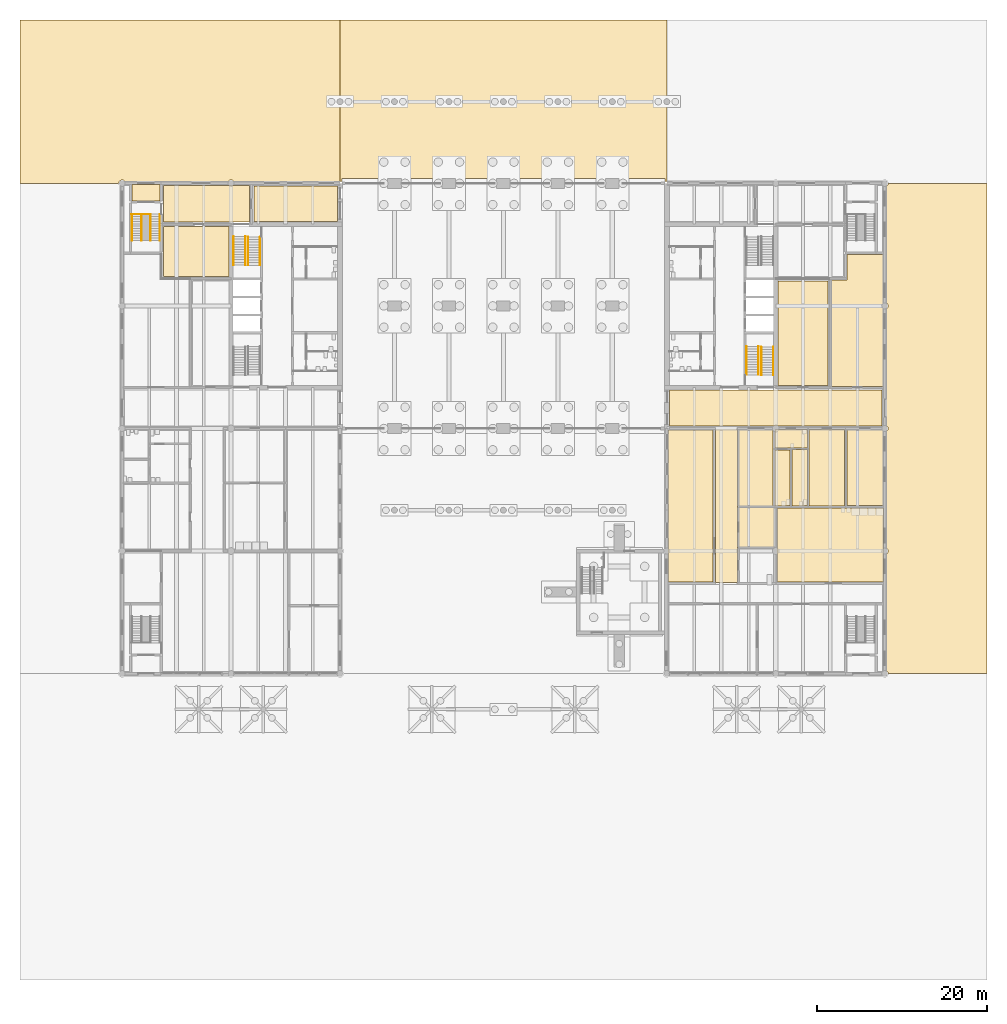
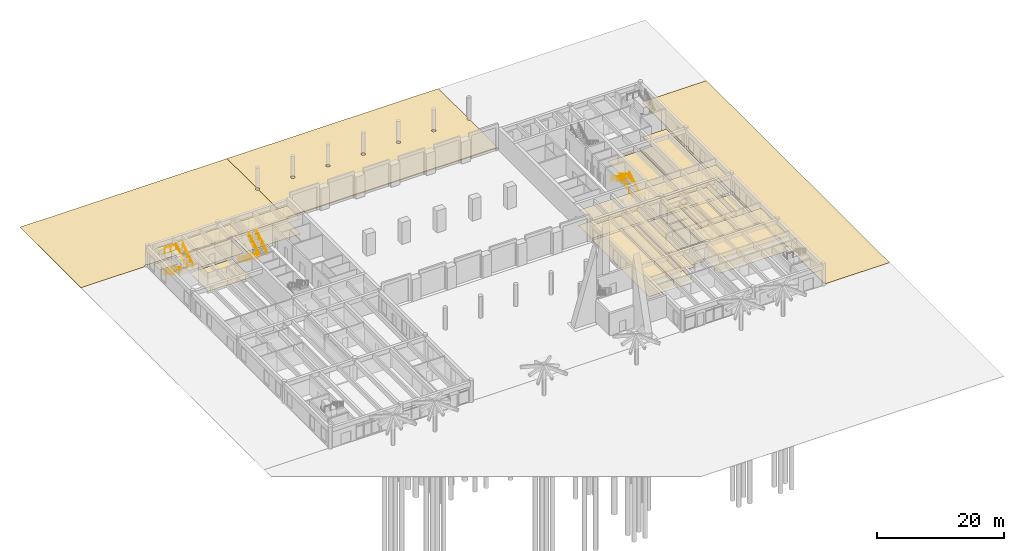
# One storey, part 26 of 28: 31 coverings, 13 railings.
"""IFC4 building model written with IfcOpenShell, lengths in metres."""

from ifc_helpers import new_model, si_unit, direction, frame, origin, origin_2d, place, context, subcontext, project, spatial, polyline, circle, outline, extrude, material, layer, layer_set, type_object, element, save


model = new_model("IFC4")

# Units and contexts
model_context = context("Model", 3, precision=1e-05, world=origin(), true_north=direction((0.0, 1.0)))
body_context = subcontext(model_context, "Body", "Model", "MODEL_VIEW")
ifc_project = project(units=[si_unit("LENGTHUNIT", "METRE"), si_unit("AREAUNIT", "SQUARE_METRE"), si_unit("VOLUMEUNIT", "CUBIC_METRE"), si_unit("PLANEANGLEUNIT", "RADIAN"), si_unit("MASSUNIT", "GRAM", prefix="KILO")], contexts=[model_context])

# Site, building, storey
site_placement = place(None, origin())
site = spatial("IfcSite", under=ifc_project, at=site_placement, CompositionType="ELEMENT")
building_placement = place(site_placement, origin())
building = spatial("IfcBuilding", under=site, at=building_placement, Name="Fogon Plaza Fire Station and Headquarters Tower", CompositionType="ELEMENT")
storey_placement = place(building_placement, origin())
storey = spatial("IfcBuildingStorey", under=building, at=storey_placement, Name="L00", CompositionType="ELEMENT", Elevation=0.0)

# Coverings
ifc_material_1 = material(Name="Acoustic Mineral Wool Ceiling Tile")
ifc_layer_1 = layer(ifc_material_1, 0.030029296875)
ifc_layer_set_1 = layer_set([ifc_layer_1], Name="Acoustic Mineral Wool Ceiling Tile")
covering_type_1 = type_object("IfcCoveringType", Name="Acoustic Ceiling 600x600", PredefinedType="CEILING", material=ifc_layer_set_1)
covering_1_placement = place(storey_placement, frame((0.0, 0.0, 2.8798828125)))
element("IfcCovering", 1, at=covering_1_placement, inside=storey, type_object=covering_type_1, Name="ceiling-L00-W-watch", PredefinedType="CEILING", context=body_context, shape_type="SweptSolid", body=[
    extrude(outline(polyline([(15.5, 53.10009765625), (15.5, 57.300048828125), (25.300048828125, 57.300048828125), (25.300048828125, 53.10009765625), (15.5, 53.10009765625)])), origin(), (0.0, 0.0, 1.0), 0.02001953125),
])
ifc_material_2 = material(Name="Carpet Tile Floor Finish")
ifc_layer_2 = layer(ifc_material_2, 0.011962890625)
ifc_layer_set_2 = layer_set([ifc_layer_2], Name="Carpet Tile Floor Finish")
covering_type_2 = type_object("IfcCoveringType", Name="Floor Finish Carpet 12", PredefinedType="FLOORING", material=ifc_layer_set_2)
covering_2_placement = place(storey_placement, origin())
element("IfcCovering", 2, at=covering_2_placement, inside=storey, type_object=covering_type_2, Name="floor-L00-W-watch", PredefinedType="FLOORING", context=body_context, shape_type="SweptSolid", body=[
    extrude(outline(polyline([(15.5, 53.10009765625), (15.5, 57.300048828125), (25.300048828125, 57.300048828125), (25.300048828125, 53.10009765625), (15.5, 53.10009765625)])), origin(), (0.0, 0.0, 1.0), 0.02490234375),
])
ifc_material_3 = material(Name="Epoxy Resin Floor Finish")
ifc_layer_3 = layer(ifc_material_3, 0.02490234375)
ifc_layer_set_3 = layer_set([ifc_layer_3], Name="Epoxy Resin Floor Finish")
covering_type_3 = type_object("IfcCoveringType", Name="Floor Finish Epoxy 25", PredefinedType="FLOORING", material=ifc_layer_set_3)
covering_3_placement = place(storey_placement, origin())
element("IfcCovering", 3, at=covering_3_placement, inside=storey, type_object=covering_type_3, Name="floor-L00-W-tool", PredefinedType="FLOORING", context=body_context, shape_type="SweptSolid", body=[
    extrude(outline(polyline([(4.85009765625, 46.64990234375), (4.85009765625, 52.550048828125), (12.550048828125, 52.550048828125), (12.550048828125, 46.64990234375), (4.85009765625, 46.64990234375)])), origin(), (0.0, 0.0, 1.0), 0.02490234375),
])
covering_4_placement = place(storey_placement, origin())
element("IfcCovering", 4, at=covering_4_placement, inside=storey, type_object=covering_type_3, Name="floor-L00-E-eq", PredefinedType="FLOORING", context=body_context, shape_type="SweptSolid", body=[
    extrude(outline(polyline([(72.5, 14.89990234375), (72.5, 19.5), (76.699951171875, 19.5), (76.699951171875, 14.89990234375), (72.5, 14.89990234375)])), origin(), (0.0, 0.0, 1.0), 0.02490234375),
])
covering_5_placement = place(storey_placement, origin())
element("IfcCovering", 5, at=covering_5_placement, inside=storey, type_object=covering_type_3, Name="floor-L00-E-uni", PredefinedType="FLOORING", context=body_context, shape_type="SweptSolid", body=[
    extrude(outline(polyline([(85.14990234375, 19.75), (85.14990234375, 28.64990234375), (89.449951171875, 28.64990234375), (89.449951171875, 19.75), (85.14990234375, 19.75)])), origin(), (0.0, 0.0, 1.0), 0.02490234375),
])
covering_6_placement = place(storey_placement, origin())
element("IfcCovering", 6, at=covering_6_placement, inside=storey, type_object=covering_type_3, Name="floor-L00-E-wsh", PredefinedType="FLOORING", context=body_context, shape_type="SweptSolid", body=[
    extrude(outline(polyline([(72.5, 19.699951171875), (72.5, 28.699951171875), (76.5, 28.699951171875), (76.5, 19.699951171875), (72.5, 19.699951171875)])), origin(), (0.0, 0.0, 1.0), 0.02490234375),
])
covering_7_placement = place(storey_placement, origin())
element("IfcCovering", 7, at=covering_7_placement, inside=storey, type_object=covering_type_3, Name="floor-L00-E-haz", PredefinedType="FLOORING", context=body_context, shape_type="SweptSolid", body=[
    extrude(outline(polyline([(83.35009765625, 33.75), (83.35009765625, 46.25), (85.14990234375, 46.25), (85.14990234375, 49.25), (89.449951171875, 49.25), (89.449951171875, 33.75), (83.35009765625, 33.75)])), origin(), (0.0, 0.0, 1.0), 0.02490234375),
])
covering_8_placement = place(storey_placement, origin())
element("IfcCovering", 8, at=covering_8_placement, inside=storey, type_object=covering_type_3, Name="floor-L00-E-eq2", PredefinedType="FLOORING", context=body_context, shape_type="SweptSolid", body=[
    extrude(outline(polyline([(77.050048828125, 33.85009765625), (77.050048828125, 46.14990234375), (82.949951171875, 46.14990234375), (82.949951171875, 33.85009765625), (77.050048828125, 33.85009765625)])), origin(), (0.0, 0.0, 1.0), 0.02490234375),
])
ifc_material_4 = material(Name="Terrazzo Floor Finish")
ifc_layer_4 = layer(ifc_material_4, 0.02490234375)
ifc_layer_set_4 = layer_set([ifc_layer_4], Name="Terrazzo Floor Finish")
covering_type_4 = type_object("IfcCoveringType", Name="Floor Finish Terrazzo 25", PredefinedType="FLOORING", material=ifc_layer_set_4)
covering_9_placement = place(storey_placement, origin())
element("IfcCovering", 9, at=covering_9_placement, inside=storey, type_object=covering_type_4, Name="floor-L00-W-nel", PredefinedType="FLOORING", context=body_context, shape_type="SweptSolid", body=[
    extrude(outline(polyline([(4.85009765625, 53.050048828125), (4.85009765625, 57.35009765625), (14.949951171875, 57.35009765625), (14.949951171875, 53.050048828125), (4.85009765625, 53.050048828125)])), origin(), (0.0, 0.0, 1.0), 0.02490234375),
])
covering_10_placement = place(storey_placement, origin())
element("IfcCovering", 10, at=covering_10_placement, inside=storey, type_object=covering_type_4, Name="floor-L00-E-wcl", PredefinedType="FLOORING", context=body_context, shape_type="SweptSolid", body=[
    extrude(outline(polyline([(76.699951171875, 26.5), (76.699951171875, 28.699951171875), (80.5, 28.699951171875), (80.5, 26.5), (76.699951171875, 26.5)])), origin(), (0.0, 0.0, 1.0), 0.02490234375),
])
ifc_material_5 = material(Name="Ceramic Tile Floor Finish")
ifc_layer_5 = layer(ifc_material_5, 0.02490234375)
ifc_layer_set_5 = layer_set([ifc_layer_5], Name="Ceramic Tile Floor Finish")
covering_type_5 = type_object("IfcCoveringType", Name="Floor Finish Tile 25", PredefinedType="FLOORING", material=ifc_layer_set_5)
covering_11_placement = place(storey_placement, origin())
element("IfcCovering", 11, at=covering_11_placement, inside=storey, type_object=covering_type_5, Name="floor-L00-E-lock", PredefinedType="FLOORING", context=body_context, shape_type="SweptSolid", body=[
    extrude(outline(polyline([(76.949951171875, 10.75), (76.949951171875, 19.449951171875), (89.449951171875, 19.449951171875), (89.449951171875, 10.75), (76.949951171875, 10.75)])), origin(), (0.0, 0.0, 1.0), 0.02490234375),
])
covering_12_placement = place(storey_placement, origin())
element("IfcCovering", 12, at=covering_12_placement, inside=storey, type_object=covering_type_5, Name="floor-L00-E-wc1", PredefinedType="FLOORING", context=body_context, shape_type="SweptSolid", body=[
    extrude(outline(polyline([(78.6875, 19.6875), (78.6875, 26.3125), (80.512451171875, 26.3125), (80.512451171875, 19.6875), (78.6875, 19.6875)])), origin(), (0.0, 0.0, 1.0), 0.02490234375),
])
covering_13_placement = place(storey_placement, origin())
element("IfcCovering", 13, at=covering_13_placement, inside=storey, type_object=covering_type_5, Name="floor-L00-E-wc2", PredefinedType="FLOORING", context=body_context, shape_type="SweptSolid", body=[
    extrude(outline(polyline([(76.699951171875, 19.699951171875), (76.699951171875, 26.300048828125), (78.5, 26.300048828125), (78.5, 19.699951171875), (76.699951171875, 19.699951171875)])), origin(), (0.0, 0.0, 1.0), 0.02490234375),
])
ifc_material_6 = material(Name="Vinyl Floor Finish")
ifc_layer_6 = layer(ifc_material_6, 0.02490234375)
ifc_layer_set_6 = layer_set([ifc_layer_6], Name="Vinyl Floor Finish")
covering_type_6 = type_object("IfcCoveringType", Name="Floor Finish Vinyl 25", PredefinedType="FLOORING", material=ifc_layer_set_6)
covering_14_placement = place(storey_placement, origin())
element("IfcCovering", 14, at=covering_14_placement, inside=storey, type_object=covering_type_6, Name="Floor finish L00 west wing Stair Exit Passage North", PredefinedType="FLOORING", context=body_context, shape_type="SweptSolid", body=[
    extrude(outline(polyline([(1.14990234375, 55.550048828125), (1.14990234375, 57.449951171875), (4.449951171875, 57.449951171875), (4.449951171875, 55.550048828125), (1.14990234375, 55.550048828125)])), origin(), (0.0, 0.0, 1.0), 0.02490234375),
])
covering_15_placement = place(storey_placement, origin())
element("IfcCovering", 15, at=covering_15_placement, inside=storey, type_object=covering_type_6, Name="floor-L00-E-nsc", PredefinedType="FLOORING", context=body_context, shape_type="SweptSolid", body=[
    extrude(outline(polyline([(69.699951171875, 10.699951171875), (69.699951171875, 28.699951171875), (72.300048828125, 28.699951171875), (72.300048828125, 10.699951171875), (69.699951171875, 10.699951171875)])), origin(), (0.0, 0.0, 1.0), 0.02490234375),
])
covering_16_placement = place(storey_placement, origin())
element("IfcCovering", 16, at=covering_16_placement, inside=storey, type_object=covering_type_6, Name="floor-L00-E-hose", PredefinedType="FLOORING", context=body_context, shape_type="SweptSolid", body=[
    extrude(outline(polyline([(64.14990234375, 10.75), (64.14990234375, 28.64990234375), (69.449951171875, 28.64990234375), (69.449951171875, 10.75), (64.14990234375, 10.75)])), origin(), (0.0, 0.0, 1.0), 0.02490234375),
])
covering_17_placement = place(storey_placement, origin())
element("IfcCovering", 17, at=covering_17_placement, inside=storey, type_object=covering_type_6, Name="floor-L00-E-med", PredefinedType="FLOORING", context=body_context, shape_type="SweptSolid", body=[
    extrude(outline(polyline([(80.699951171875, 19.699951171875), (80.699951171875, 28.699951171875), (84.89990234375, 28.699951171875), (84.89990234375, 19.699951171875), (80.699951171875, 19.699951171875)])), origin(), (0.0, 0.0, 1.0), 0.02490234375),
])
covering_18_placement = place(storey_placement, origin())
element("IfcCovering", 18, at=covering_18_placement, inside=storey, type_object=covering_type_6, Name="floor-L00-E-spine", PredefinedType="FLOORING", context=body_context, shape_type="SweptSolid", body=[
    extrude(outline(polyline([(64.300048828125, 29.10009765625), (64.300048828125, 33.300048828125), (89.300048828125, 33.300048828125), (89.300048828125, 29.10009765625), (64.300048828125, 29.10009765625)])), origin(), (0.0, 0.0, 1.0), 0.02490234375),
])
ifc_material_7 = material(Name="Granite paving", Category="masonry")
ifc_layer_7 = layer(ifc_material_7, 0.06005859375)
ifc_layer_set_7 = layer_set([ifc_layer_7], Name="Granite paving")
covering_type_7 = type_object("IfcCoveringType", Name="Granite Plaza Paving 60", PredefinedType="USERDEFINED", material=ifc_layer_set_7)
covering_19_placement = place(storey_placement, frame((0.0, 0.0, -0.06005859375)))
element("IfcCovering", 19, at=covering_19_placement, inside=storey, type_object=covering_type_7, Name="Paving forecourt-W", ObjectType="PAVING", PredefinedType="USERDEFINED", context=body_context, shape_type="SweptSolid", body=[
    extrude(outline(polyline([(-11.9951171875, 76.794921875), (25.60009765625, 76.794921875), (25.60009765625, 67.550048828125), (25.466064453125, 67.5234375), (25.3525390625, 67.447509765625), (25.276611328125, 67.333984375), (25.25, 67.199951171875), (25.276611328125, 67.066162109375), (25.3525390625, 66.952392578125), (25.466064453125, 66.876708984375), (25.60009765625, 66.85009765625), (25.60009765625, 57.824951171875), (25.375, 57.824951171875), (13.12158203125, 57.824951171875), (13.082763671875, 57.8828125), (12.953125, 57.969482421875), (12.800048828125, 58.0), (12.64697265625, 57.969482421875), (12.51708984375, 57.8828125), (12.478515625, 57.824951171875), (0.321533203125, 57.824951171875), (0.28271484375, 57.8828125), (0.153076171875, 57.969482421875), (0.0, 58.0), (-0.153076171875, 57.969482421875), (-0.28271484375, 57.8828125), (-0.36962890625, 57.753173828125), (-0.39990234375, 57.60009765625), (-11.9951171875, 57.60009765625), (-11.9951171875, 76.794921875)])), origin(), (0.0, 0.0, 1.0), 0.06005859375),
])

# Railing
ifc_material_8 = material(Name="Stainless Steel", Category="steel")
railing_type_1 = type_object("IfcRailingType", Name="Guard Steel 1100", PredefinedType="GUARDRAIL", material=ifc_material_8)
railing_placement = place(storey_placement, frame((1.125, 53.97509765625, 4.199951171875)))
element("IfcRailing", 20, at=railing_placement, inside=storey, type_object=railing_type_1, Name="rail-ST5-L00-5", PredefinedType="GUARDRAIL", context=body_context, shape_type="SweptSolid", body=[
    extrude(circle(Radius=0.02392578125, at=origin_2d()), frame((0.0, 0.0, 1.076171875), z_axis=(1.0, 0.0, 0.0), x_axis=(0.0, 1.0, 0.0)), (0.0, 0.0, 1.0), 2.14990234375),
    extrude(circle(Radius=0.02099609375, at=origin_2d()), origin(), (0.0, 0.0, 1.0), 1.052001953125),
    extrude(circle(Radius=0.02099609375, at=origin_2d()), frame((1.074951171875, 0.0, 0.0)), (0.0, 0.0, 1.0), 1.052001953125),
    extrude(circle(Radius=0.02099609375, at=origin_2d()), frame((2.14990234375, 0.0, 0.0)), (0.0, 0.0, 1.0), 1.052001953125),
])

# Coverings
ifc_material_9 = material(Name="Broom-finished concrete", Category="concrete")
ifc_layer_8 = layer(ifc_material_9, 0.199951171875)
ifc_layer_set_8 = layer_set([ifc_layer_8], Name="Broom-finished concrete")
covering_type_8 = type_object("IfcCoveringType", Name="Heavy Duty Concrete Apron 200", PredefinedType="USERDEFINED", material=ifc_layer_set_8)
covering_20_placement = place(storey_placement, frame((0.0, 0.0, -0.199951171875)))
element("IfcCovering", 21, at=covering_20_placement, inside=storey, type_object=covering_type_8, Name="Paving apron", ObjectType="PAVING", PredefinedType="USERDEFINED", context=body_context, shape_type="SweptSolid", body=[
    extrude(outline(polyline([(56.800048828125, 57.75), (56.800048828125, 58.199951171875), (52.0, 58.199951171875), (50.39990234375, 58.199951171875), (50.39990234375, 57.60009765625), (50.39990234375, 57.60009765625), (50.39990234375, 57.75), (50.39990234375, 58.199951171875), (45.60009765625, 58.199951171875), (45.60009765625, 57.75), (45.60009765625, 57.60009765625), (45.60009765625, 57.60009765625), (45.60009765625, 58.199951171875), (44.0, 58.199951171875), (39.199951171875, 58.199951171875), (39.199951171875, 57.75), (39.199951171875, 57.60009765625), (39.199951171875, 57.60009765625), (39.199951171875, 58.199951171875), (37.60009765625, 58.199951171875), (32.800048828125, 58.199951171875), (31.199951171875, 58.199951171875), (25.824951171875, 58.199951171875), (25.824951171875, 57.824951171875), (25.60009765625, 57.824951171875), (25.60009765625, 66.85009765625), (25.73388671875, 66.876708984375), (25.847412109375, 66.952392578125), (25.92333984375, 67.066162109375), (25.949951171875, 67.199951171875), (25.92333984375, 67.333984375), (25.847412109375, 67.447509765625), (25.73388671875, 67.5234375), (25.60009765625, 67.550048828125), (25.60009765625, 76.794921875), (64.0, 76.794921875), (64.0, 67.550048828125), (63.8662109375, 67.5234375), (63.75244140625, 67.447509765625), (63.676513671875, 67.333984375), (63.64990234375, 67.199951171875), (63.676513671875, 67.066162109375), (63.75244140625, 66.952392578125), (63.8662109375, 66.876708984375), (64.0, 66.85009765625), (64.0, 57.824951171875), (63.77490234375, 57.824951171875), (63.77490234375, 58.199951171875), (58.39990234375, 58.199951171875), (56.800048828125, 58.199951171875), (56.800048828125, 57.60009765625), (56.800048828125, 57.60009765625), (56.800048828125, 57.75)]), holes=[polyline([(31.75244140625, 66.952392578125), (31.8662109375, 66.876708984375), (32.0, 66.85009765625), (32.1337890625, 66.876708984375), (32.24755859375, 66.952392578125), (32.323486328125, 67.066162109375), (32.35009765625, 67.199951171875), (32.323486328125, 67.333984375), (32.24755859375, 67.447509765625), (32.1337890625, 67.5234375), (32.0, 67.550048828125), (31.8662109375, 67.5234375), (31.75244140625, 67.447509765625), (31.676513671875, 67.333984375), (31.64990234375, 67.199951171875), (31.676513671875, 67.066162109375), (31.75244140625, 66.952392578125)]), polyline([(44.552490234375, 66.952392578125), (44.666015625, 66.876708984375), (44.800048828125, 66.85009765625), (44.933837890625, 66.876708984375), (45.047607421875, 66.952392578125), (45.123291015625, 67.066162109375), (45.14990234375, 67.199951171875), (45.123291015625, 67.333984375), (45.047607421875, 67.447509765625), (44.933837890625, 67.5234375), (44.800048828125, 67.550048828125), (44.666015625, 67.5234375), (44.552490234375, 67.447509765625), (44.4765625, 67.333984375), (44.449951171875, 67.199951171875), (44.4765625, 67.066162109375), (44.552490234375, 66.952392578125)]), polyline([(38.26611328125, 66.876708984375), (38.39990234375, 66.85009765625), (38.533935546875, 66.876708984375), (38.6474609375, 66.952392578125), (38.723388671875, 67.066162109375), (38.75, 67.199951171875), (38.723388671875, 67.333984375), (38.6474609375, 67.447509765625), (38.533935546875, 67.5234375), (38.39990234375, 67.550048828125), (38.26611328125, 67.5234375), (38.152587890625, 67.447509765625), (38.07666015625, 67.333984375), (38.050048828125, 67.199951171875), (38.07666015625, 67.066162109375), (38.152587890625, 66.952392578125), (38.26611328125, 66.876708984375)]), polyline([(57.466064453125, 66.876708984375), (57.60009765625, 66.85009765625), (57.73388671875, 66.876708984375), (57.847412109375, 66.952392578125), (57.92333984375, 67.066162109375), (57.949951171875, 67.199951171875), (57.92333984375, 67.333984375), (57.847412109375, 67.447509765625), (57.73388671875, 67.5234375), (57.60009765625, 67.550048828125), (57.466064453125, 67.5234375), (57.3525390625, 67.447509765625), (57.276611328125, 67.333984375), (57.25, 67.199951171875), (57.276611328125, 67.066162109375), (57.3525390625, 66.952392578125), (57.466064453125, 66.876708984375)]), polyline([(51.066162109375, 66.876708984375), (51.199951171875, 66.85009765625), (51.333984375, 66.876708984375), (51.447509765625, 66.952392578125), (51.5234375, 67.066162109375), (51.550048828125, 67.199951171875), (51.5234375, 67.333984375), (51.447509765625, 67.447509765625), (51.333984375, 67.5234375), (51.199951171875, 67.550048828125), (51.066162109375, 67.5234375), (50.952392578125, 67.447509765625), (50.876708984375, 67.333984375), (50.85009765625, 67.199951171875), (50.876708984375, 67.066162109375), (50.952392578125, 66.952392578125), (51.066162109375, 66.876708984375)])]), origin(), (0.0, 0.0, 1.0), 0.199951171875),
])
ifc_material_10 = material(Name="Moisture Resistant Gypsum Ceiling")
ifc_layer_9 = layer(ifc_material_10, 0.02001953125)
ifc_layer_set_9 = layer_set([ifc_layer_9], Name="Moisture Resistant Gypsum Ceiling")
covering_type_9 = type_object("IfcCoveringType", Name="Moisture Resistant Ceiling 600x600", PredefinedType="CEILING", material=ifc_layer_set_9)
covering_21_placement = place(storey_placement, frame((0.0, 0.0, 2.8798828125)))
element("IfcCovering", 22, at=covering_21_placement, inside=storey, type_object=covering_type_9, Name="ceiling-L00-E-lock", PredefinedType="CEILING", context=body_context, shape_type="SweptSolid", body=[
    extrude(outline(polyline([(76.949951171875, 10.75), (76.949951171875, 19.449951171875), (89.449951171875, 19.449951171875), (89.449951171875, 10.75), (76.949951171875, 10.75)])), origin(), (0.0, 0.0, 1.0), 0.02001953125),
])
covering_22_placement = place(storey_placement, frame((0.0, 0.0, 2.8798828125)))
element("IfcCovering", 23, at=covering_22_placement, inside=storey, type_object=covering_type_9, Name="ceiling-L00-E-wc1", PredefinedType="CEILING", context=body_context, shape_type="SweptSolid", body=[
    extrude(outline(polyline([(78.6875, 19.6875), (78.6875, 26.3125), (80.512451171875, 26.3125), (80.512451171875, 19.6875), (78.6875, 19.6875)])), origin(), (0.0, 0.0, 1.0), 0.02001953125),
])
covering_23_placement = place(storey_placement, frame((0.0, 0.0, 2.8798828125)))
element("IfcCovering", 24, at=covering_23_placement, inside=storey, type_object=covering_type_9, Name="ceiling-L00-E-wc2", PredefinedType="CEILING", context=body_context, shape_type="SweptSolid", body=[
    extrude(outline(polyline([(76.699951171875, 19.699951171875), (76.699951171875, 26.300048828125), (78.5, 26.300048828125), (78.5, 19.699951171875), (76.699951171875, 19.699951171875)])), origin(), (0.0, 0.0, 1.0), 0.02001953125),
])

# Railings
ifc_material_11 = material(Name="Steel", Category="steel")
railing_type_2 = type_object("IfcRailingType", Name="Stair Handrail 900", PredefinedType="HANDRAIL", material=ifc_material_11)
for number, where, name in (
    (25, (13.10009765625, 51.340087890625, 0.175048828125), "Handrail ST2"),
    (26, (14.5, 51.340087890625, 0.175048828125), "Handrail ST2"),
):
    element("IfcRailing", number, at=place(storey_placement, frame(where)), inside=storey, type_object=railing_type_2, Name=name, PredefinedType="HANDRAIL", context=body_context, shape_type="SweptSolid", body=[
        extrude(circle(Radius=0.02392578125, at=origin_2d()), frame((0.0, 0.0, 0.8759765625), z_axis=(0.0, -0.864777349284, 0.502155490029), x_axis=(1.0, 0.0, 0.0)), (0.0, 0.0, 1.0), 3.83349609375),
        extrude(circle(Radius=0.02099609375, at=origin_2d()), origin(), (0.0, 0.0, 1.0), 0.851806640625),
        extrude(circle(Radius=0.02099609375, at=origin_2d()), frame((0.0, -0.828857421875, 0.481201171875)), (0.0, 0.0, 1.0), 0.851806640625),
        extrude(circle(Radius=0.02099609375, at=origin_2d()), frame((0.0, -1.65771484375, 0.96240234375)), (0.0, 0.0, 1.0), 0.851806640625),
        extrude(circle(Radius=0.02099609375, at=origin_2d()), frame((0.0, -2.486328125, 1.44384765625)), (0.0, 0.0, 1.0), 0.851806640625),
        extrude(circle(Radius=0.02099609375, at=origin_2d()), frame((0.0, -3.315185546875, 1.925048828125)), (0.0, 0.0, 1.0), 0.851806640625),
    ])
for number, where, name in (
    (27, (16.22509765625, 47.97509765625, 2.27490234375), "Handrail ST2"),
    (28, (14.824951171875, 47.97509765625, 2.27490234375), "Handrail ST2"),
    (29, (76.5, 35.06005859375, 0.175048828125), "Handrail ST3"),
    (30, (75.10009765625, 35.06005859375, 0.175048828125), "Handrail ST3"),
):
    element("IfcRailing", number, at=place(storey_placement, frame(where)), inside=storey, type_object=railing_type_2, Name=name, PredefinedType="HANDRAIL", context=body_context, shape_type="SweptSolid", body=[
        extrude(circle(Radius=0.02392578125, at=origin_2d()), frame((0.0, 0.0, 0.8759765625), z_axis=(0.0, 0.864761289162, 0.502183146637), x_axis=(-1.0, 0.0, 0.0)), (0.0, 0.0, 1.0), 3.833251953125),
        extrude(circle(Radius=0.02099609375, at=origin_2d()), origin(), (0.0, 0.0, 1.0), 0.851806640625),
        extrude(circle(Radius=0.02099609375, at=origin_2d()), frame((0.0, 0.82861328125, 0.481201171875)), (0.0, 0.0, 1.0), 0.851806640625),
        extrude(circle(Radius=0.02099609375, at=origin_2d()), frame((0.0, 1.657470703125, 0.96240234375)), (0.0, 0.0, 1.0), 0.851806640625),
        extrude(circle(Radius=0.02099609375, at=origin_2d()), frame((0.0, 2.486328125, 1.44384765625)), (0.0, 0.0, 1.0), 0.851806640625),
        extrude(circle(Radius=0.02099609375, at=origin_2d()), frame((0.0, 3.31494140625, 1.925048828125)), (0.0, 0.0, 1.0), 0.851806640625),
    ])
for number, where, name in (
    (31, (73.375, 38.425048828125, 2.27490234375), "Handrail ST3"),
    (32, (74.77490234375, 38.425048828125, 2.27490234375), "Handrail ST3"),
):
    element("IfcRailing", number, at=place(storey_placement, frame(where)), inside=storey, type_object=railing_type_2, Name=name, PredefinedType="HANDRAIL", context=body_context, shape_type="SweptSolid", body=[
        extrude(circle(Radius=0.02392578125, at=origin_2d()), frame((0.0, 0.0, 0.8759765625), z_axis=(0.0, -0.864761289162, 0.502183146637), x_axis=(1.0, 0.0, 0.0)), (0.0, 0.0, 1.0), 3.833251953125),
        extrude(circle(Radius=0.02099609375, at=origin_2d()), origin(), (0.0, 0.0, 1.0), 0.851806640625),
        extrude(circle(Radius=0.02099609375, at=origin_2d()), frame((0.0, -0.82861328125, 0.481201171875)), (0.0, 0.0, 1.0), 0.851806640625),
        extrude(circle(Radius=0.02099609375, at=origin_2d()), frame((0.0, -1.657470703125, 0.96240234375)), (0.0, 0.0, 1.0), 0.851806640625),
        extrude(circle(Radius=0.02099609375, at=origin_2d()), frame((0.0, -2.486328125, 1.44384765625)), (0.0, 0.0, 1.0), 0.851806640625),
        extrude(circle(Radius=0.02099609375, at=origin_2d()), frame((0.0, -3.31494140625, 1.925048828125)), (0.0, 0.0, 1.0), 0.851806640625),
    ])
ifc_material_12 = material(Name="Stainless Steel", Category="steel")
railing_type_3 = type_object("IfcRailingType", Name="Stair Handrail Steel 900", PredefinedType="HANDRAIL", material=ifc_material_12)
for number, where, name in (
    (33, (1.175048828125, 53.97509765625, 0.175048828125), "rail-ST5-L00-1"),
    (34, (2.27490234375, 53.97509765625, 0.175048828125), "rail-ST5-L00-2"),
):
    element("IfcRailing", number, at=place(storey_placement, frame(where)), inside=storey, type_object=railing_type_3, Name=name, PredefinedType="HANDRAIL", context=body_context, shape_type="SweptSolid", body=[
        extrude(circle(Radius=0.02392578125, at=origin_2d()), frame((0.0, 0.0, 0.8759765625), z_axis=(0.0, -0.847998304005, 0.529998940003), x_axis=(1.0, 0.0, 0.0)), (0.0, 0.0, 1.0), 3.632080078125),
        extrude(circle(Radius=0.02099609375, at=origin_2d()), origin(), (0.0, 0.0, 1.0), 0.851806640625),
        extrude(circle(Radius=0.02099609375, at=origin_2d()), frame((0.0, -0.77001953125, 0.481201171875)), (0.0, 0.0, 1.0), 0.851806640625),
        extrude(circle(Radius=0.02099609375, at=origin_2d()), frame((0.0, -1.5400390625, 0.96240234375)), (0.0, 0.0, 1.0), 0.851806640625),
        extrude(circle(Radius=0.02099609375, at=origin_2d()), frame((0.0, -2.31005859375, 1.44384765625)), (0.0, 0.0, 1.0), 0.851806640625),
        extrude(circle(Radius=0.02099609375, at=origin_2d()), frame((0.0, -3.080078125, 1.925048828125)), (0.0, 0.0, 1.0), 0.851806640625),
    ])
for number, where, name in (
    (35, (3.324951171875, 50.89501953125, 2.27490234375), "rail-ST5-L00-3"),
    (36, (4.425048828125, 50.89501953125, 2.27490234375), "rail-ST5-L00-4"),
):
    element("IfcRailing", number, at=place(storey_placement, frame(where)), inside=storey, type_object=railing_type_3, Name=name, PredefinedType="HANDRAIL", context=body_context, shape_type="SweptSolid", body=[
        extrude(circle(Radius=0.02392578125, at=origin_2d()), frame((0.0, 0.0, 0.8759765625), z_axis=(0.0, 0.847998304005, 0.529998940003), x_axis=(-1.0, 0.0, 0.0)), (0.0, 0.0, 1.0), 3.632080078125),
        extrude(circle(Radius=0.02099609375, at=origin_2d()), origin(), (0.0, 0.0, 1.0), 0.851806640625),
        extrude(circle(Radius=0.02099609375, at=origin_2d()), frame((0.0, 0.77001953125, 0.481201171875)), (0.0, 0.0, 1.0), 0.851806640625),
        extrude(circle(Radius=0.02099609375, at=origin_2d()), frame((0.0, 1.5400390625, 0.96240234375)), (0.0, 0.0, 1.0), 0.851806640625),
        extrude(circle(Radius=0.02099609375, at=origin_2d()), frame((0.0, 2.31005859375, 1.44384765625)), (0.0, 0.0, 1.0), 0.851806640625),
        extrude(circle(Radius=0.02099609375, at=origin_2d()), frame((0.0, 3.080078125, 1.925048828125)), (0.0, 0.0, 1.0), 0.851806640625),
    ])

# Coverings
ifc_material_13 = material(Name="Stone setts", Category="masonry")
ifc_layer_10 = layer(ifc_material_13, 0.080078125)
ifc_layer_set_10 = layer_set([ifc_layer_10], Name="Stone setts")
covering_type_10 = type_object("IfcCoveringType", Name="Stone Setts Flank Paving 80", PredefinedType="USERDEFINED", material=ifc_layer_set_10)
covering_24_placement = place(storey_placement, frame((0.0, 0.0, -0.080078125)))
element("IfcCovering", 37, at=covering_24_placement, inside=storey, type_object=covering_type_10, Name="Paving flank-E", ObjectType="PAVING", PredefinedType="USERDEFINED", context=body_context, shape_type="SweptSolid", body=[
    extrude(outline(polyline([(101.594970703125, 0.0), (90.0, 0.0), (89.969482421875, 0.153076171875), (89.8828125, 0.28271484375), (89.824951171875, 0.321533203125), (89.824951171875, 14.07861328125), (89.8828125, 14.1171875), (89.969482421875, 14.246826171875), (90.0, 14.39990234375), (89.969482421875, 14.552978515625), (89.8828125, 14.682861328125), (89.824951171875, 14.721435546875), (89.824951171875, 28.478515625), (89.8828125, 28.51708984375), (89.969482421875, 28.64697265625), (90.0, 28.800048828125), (89.969482421875, 28.953125), (89.8828125, 29.082763671875), (89.824951171875, 29.12158203125), (89.824951171875, 42.87841796875), (89.8828125, 42.917236328125), (89.969482421875, 43.046875), (90.0, 43.199951171875), (89.969482421875, 43.35302734375), (89.8828125, 43.48291015625), (89.824951171875, 43.521484375), (89.824951171875, 57.278564453125), (89.8828125, 57.317138671875), (89.969482421875, 57.447021484375), (90.0, 57.60009765625), (101.594970703125, 57.60009765625), (101.594970703125, 0.0)])), origin(), (0.0, 0.0, 1.0), 0.080078125),
])
ifc_material_14 = material(Name="Mineral Fibre Ceiling Tile")
ifc_layer_11 = layer(ifc_material_14, 0.02001953125)
ifc_layer_set_11 = layer_set([ifc_layer_11], Name="Mineral Fibre Ceiling Tile")
covering_type_11 = type_object("IfcCoveringType", Name="Suspended Ceiling 600x600", PredefinedType="CEILING", material=ifc_layer_set_11)
covering_25_placement = place(storey_placement, frame((0.0, 0.0, 2.8798828125)))
element("IfcCovering", 38, at=covering_25_placement, inside=storey, type_object=covering_type_11, Name="Ceiling finish L00 west wing Stair Exit Passage North", PredefinedType="CEILING", context=body_context, shape_type="SweptSolid", body=[
    extrude(outline(polyline([(1.14990234375, 55.550048828125), (1.14990234375, 57.449951171875), (4.449951171875, 57.449951171875), (4.449951171875, 55.550048828125), (1.14990234375, 55.550048828125)])), origin(), (0.0, 0.0, 1.0), 0.02001953125),
])
covering_26_placement = place(storey_placement, frame((0.0, 0.0, 2.8798828125)))
element("IfcCovering", 39, at=covering_26_placement, inside=storey, type_object=covering_type_11, Name="ceiling-L00-W-nel", PredefinedType="CEILING", context=body_context, shape_type="SweptSolid", body=[
    extrude(outline(polyline([(4.85009765625, 53.050048828125), (4.85009765625, 57.35009765625), (14.949951171875, 57.35009765625), (14.949951171875, 53.050048828125), (4.85009765625, 53.050048828125)])), origin(), (0.0, 0.0, 1.0), 0.02001953125),
])
covering_27_placement = place(storey_placement, frame((0.0, 0.0, 2.8798828125)))
element("IfcCovering", 40, at=covering_27_placement, inside=storey, type_object=covering_type_11, Name="ceiling-L00-E-nsc", PredefinedType="CEILING", context=body_context, shape_type="SweptSolid", body=[
    extrude(outline(polyline([(69.699951171875, 10.699951171875), (69.699951171875, 28.699951171875), (72.300048828125, 28.699951171875), (72.300048828125, 10.699951171875), (69.699951171875, 10.699951171875)])), origin(), (0.0, 0.0, 1.0), 0.02001953125),
])
covering_28_placement = place(storey_placement, frame((0.0, 0.0, 2.8798828125)))
element("IfcCovering", 41, at=covering_28_placement, inside=storey, type_object=covering_type_11, Name="ceiling-L00-E-hose", PredefinedType="CEILING", context=body_context, shape_type="SweptSolid", body=[
    extrude(outline(polyline([(64.14990234375, 10.75), (64.14990234375, 28.64990234375), (69.449951171875, 28.64990234375), (69.449951171875, 10.75), (64.14990234375, 10.75)])), origin(), (0.0, 0.0, 1.0), 0.02001953125),
])
covering_29_placement = place(storey_placement, frame((0.0, 0.0, 2.8798828125)))
element("IfcCovering", 42, at=covering_29_placement, inside=storey, type_object=covering_type_11, Name="ceiling-L00-E-med", PredefinedType="CEILING", context=body_context, shape_type="SweptSolid", body=[
    extrude(outline(polyline([(80.699951171875, 19.699951171875), (80.699951171875, 28.699951171875), (84.89990234375, 28.699951171875), (84.89990234375, 19.699951171875), (80.699951171875, 19.699951171875)])), origin(), (0.0, 0.0, 1.0), 0.02001953125),
])
covering_30_placement = place(storey_placement, frame((0.0, 0.0, 2.8798828125)))
element("IfcCovering", 43, at=covering_30_placement, inside=storey, type_object=covering_type_11, Name="ceiling-L00-E-wcl", PredefinedType="CEILING", context=body_context, shape_type="SweptSolid", body=[
    extrude(outline(polyline([(76.699951171875, 26.5), (76.699951171875, 28.699951171875), (80.5, 28.699951171875), (80.5, 26.5), (76.699951171875, 26.5)])), origin(), (0.0, 0.0, 1.0), 0.02001953125),
])
covering_31_placement = place(storey_placement, frame((0.0, 0.0, 2.8798828125)))
element("IfcCovering", 44, at=covering_31_placement, inside=storey, type_object=covering_type_11, Name="ceiling-L00-E-spine", PredefinedType="CEILING", context=body_context, shape_type="SweptSolid", body=[
    extrude(outline(polyline([(64.300048828125, 29.10009765625), (64.300048828125, 33.300048828125), (89.300048828125, 33.300048828125), (89.300048828125, 29.10009765625), (64.300048828125, 29.10009765625)])), origin(), (0.0, 0.0, 1.0), 0.02001953125),
])

save(model, "model.ifc")
